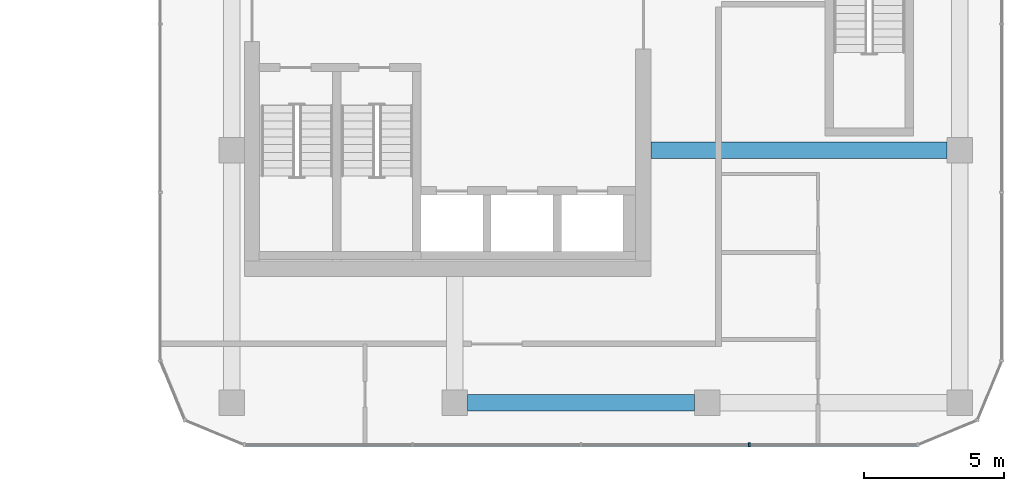
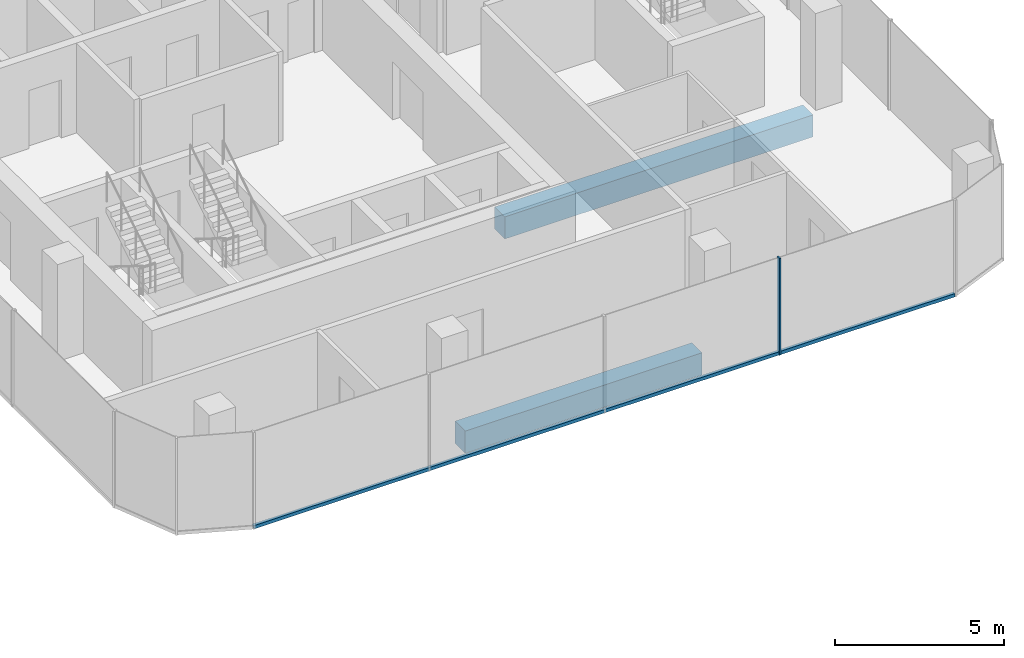
# One storey, part 8 of 23: 2 beams, 2 members, 1 element without a shape of its own.
"""IFC4 building model written with IfcOpenShell, lengths in metres."""

from ifc_helpers import new_model, si_unit, direction, frame, origin, origin_2d, place, context, subcontext, project, spatial, rectangle, extrude, material, layer, layer_set, material_profile, profile_set, type_object, element, aggregate, save


model = new_model("IFC4")

# Units and contexts
model_context = context("Model", 3, precision=1e-05, world=origin(), true_north=direction((0.0, 1.0)))
body_context = subcontext(model_context, "Body", "Model", "MODEL_VIEW")
ifc_project = project(units=[si_unit("LENGTHUNIT", "METRE"), si_unit("AREAUNIT", "SQUARE_METRE"), si_unit("VOLUMEUNIT", "CUBIC_METRE"), si_unit("PLANEANGLEUNIT", "RADIAN"), si_unit("MASSUNIT", "GRAM", prefix="KILO")], contexts=[model_context])

# Site, building, storey
site_placement = place(None, origin())
site = spatial("IfcSite", under=ifc_project, at=site_placement, CompositionType="ELEMENT")
building_placement = place(site_placement, origin())
building = spatial("IfcBuilding", under=site, at=building_placement, Name="Plateau Cross Towers", CompositionType="ELEMENT")
storey_placement = place(building_placement, frame((0.0, 0.0, 33.800048828125)))
storey = spatial("IfcBuildingStorey", under=building, at=storey_placement, Name="L07", CompositionType="ELEMENT", Elevation=33.800048828125)

# Beam
ifc_material_1 = material(Name="Concrete C60/75", Category="concrete")
ifc_material_profile_1 = material_profile(ifc_material_1, rectangle(XDim=0.60009765625, YDim=0.800048828125, at=origin_2d()), Name="RC 600x800")
ifc_profile_set_1 = profile_set([ifc_material_profile_1], Name="Concrete C60/75")
beam_type_1 = type_object("IfcBeamType", Name="Core beam RC 600x800", PredefinedType="BEAM", material=ifc_profile_set_1)
beam_1_placement = place(storey_placement, frame((89.5, 4.5, -0.650146484375), z_axis=(1.0, 0.0, 0.0), x_axis=(0.0, 1.0, 0.0)))
element("IfcBeam", 1, at=beam_1_placement, inside=storey, type_object=beam_type_1, Name="B-CB02@L07", PredefinedType="BEAM", context=body_context, shape_type="SweptSolid", body=[
    extrude(rectangle(XDim=0.60009765625, YDim=0.800048828125, at=origin_2d()), origin(), (0.0, 0.0, 1.0), 10.550048828125),
])

# Curtain wall, member
ifc_material_2 = material(Name="Dark low-iron glass", Category="glass")
ifc_layer = layer(ifc_material_2, 0.239990234375)
ifc_layer_set = layer_set([ifc_layer], Name="Dark low-iron glass")
curtain_wall_type = type_object("IfcCurtainWallType", Name="Curtain wall office unitised CW-F", PredefinedType="NOTDEFINED", material=ifc_layer_set)
curtain_wall_placement = place(storey_placement, origin())
curtain_wall = element("IfcCurtainWall", 2, at=curtain_wall_placement, inside=storey, type_object=curtain_wall_type, Name="ENV/B/L07/B750_-60", PredefinedType="NOTDEFINED")
ifc_material_3 = material(Name="Black anodised aluminium", Category="aluminium")
ifc_material_profile_2 = material_profile(ifc_material_3, rectangle(XDim=0.06005859375, YDim=0.139892578125, at=origin_2d()), Name="MULLION 60x140")
ifc_profile_set_2 = profile_set([ifc_material_profile_2], Name="Black anodised aluminium")
member_type_1 = type_object("IfcMemberType", Name="Mullion 60x140 office unitised", PredefinedType="MULLION", material=ifc_profile_set_2)
member_1_placement = place(storey_placement, frame((93.0, -6.0, -0.25), z_axis=(0.0, 0.0, 1.0), x_axis=(1.0, 0.0, 0.0)))
member_1 = element("IfcMember", 3, at=member_1_placement, type_object=member_type_1, Name="CW-F mullion 4", PredefinedType="MULLION", context=body_context, shape_type="SweptSolid", body=[
    extrude(rectangle(XDim=0.06005859375, YDim=0.139892578125, at=origin_2d()), origin(), (0.0, 0.0, 1.0), 3.5),
])

# Beam
ifc_material_profile_3 = material_profile(ifc_material_1, rectangle(XDim=0.60009765625, YDim=0.800048828125, at=origin_2d()), Name="RC 600x800")
ifc_profile_set_3 = profile_set([ifc_material_profile_3], Name="Concrete C60/75")
beam_type_2 = type_object("IfcBeamType", Name="Ring beam RC 600x800", PredefinedType="BEAM", material=ifc_profile_set_3)
beam_2_placement = place(storey_placement, frame((82.949951171875, -4.5, -0.650146484375), z_axis=(1.0, 0.0, 0.0), x_axis=(0.0, 1.0, 0.0)))
element("IfcBeam", 4, at=beam_2_placement, inside=storey, type_object=beam_type_2, Name="B-RB01@L07", PredefinedType="BEAM", context=body_context, shape_type="SweptSolid", body=[
    extrude(rectangle(XDim=0.60009765625, YDim=0.800048828125, at=origin_2d()), origin(), (0.0, 0.0, 1.0), 8.10009765625),
])

# Member
ifc_material_profile_4 = material_profile(ifc_material_3, rectangle(XDim=0.10009765625, YDim=0.1201171875, at=origin_2d()), Name="TRANSOM 100x120")
ifc_profile_set_4 = profile_set([ifc_material_profile_4], Name="Black anodised aluminium")
member_type_2 = type_object("IfcMemberType", Name="Transom 100x120 office unitised", PredefinedType="USERDEFINED", material=ifc_profile_set_4)
member_2_placement = place(storey_placement, frame((75.0, -6.0, -0.18994140625), z_axis=(1.0, 0.0, 0.0), x_axis=(0.0, 1.0, 0.0)))
member_2 = element("IfcMember", 5, at=member_2_placement, type_object=member_type_2, Name="CW-F transom", ObjectType="TRANSOM", PredefinedType="USERDEFINED", context=body_context, shape_type="SweptSolid", body=[
    extrude(rectangle(XDim=0.10009765625, YDim=0.1201171875, at=origin_2d()), origin(), (0.0, 0.0, 1.0), 24.0),
])

aggregate(curtain_wall, [member_1, member_2])

save(model, "model.ifc")
